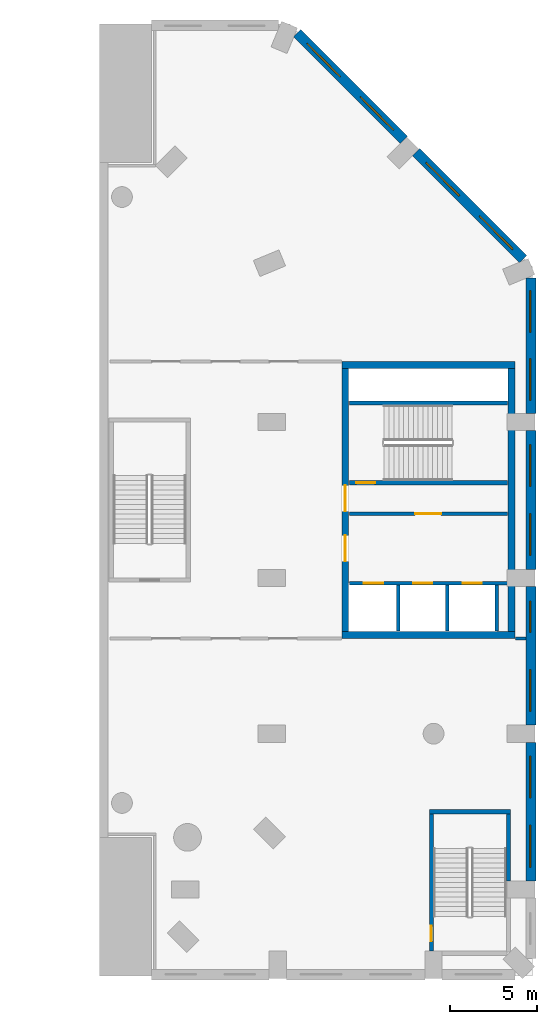
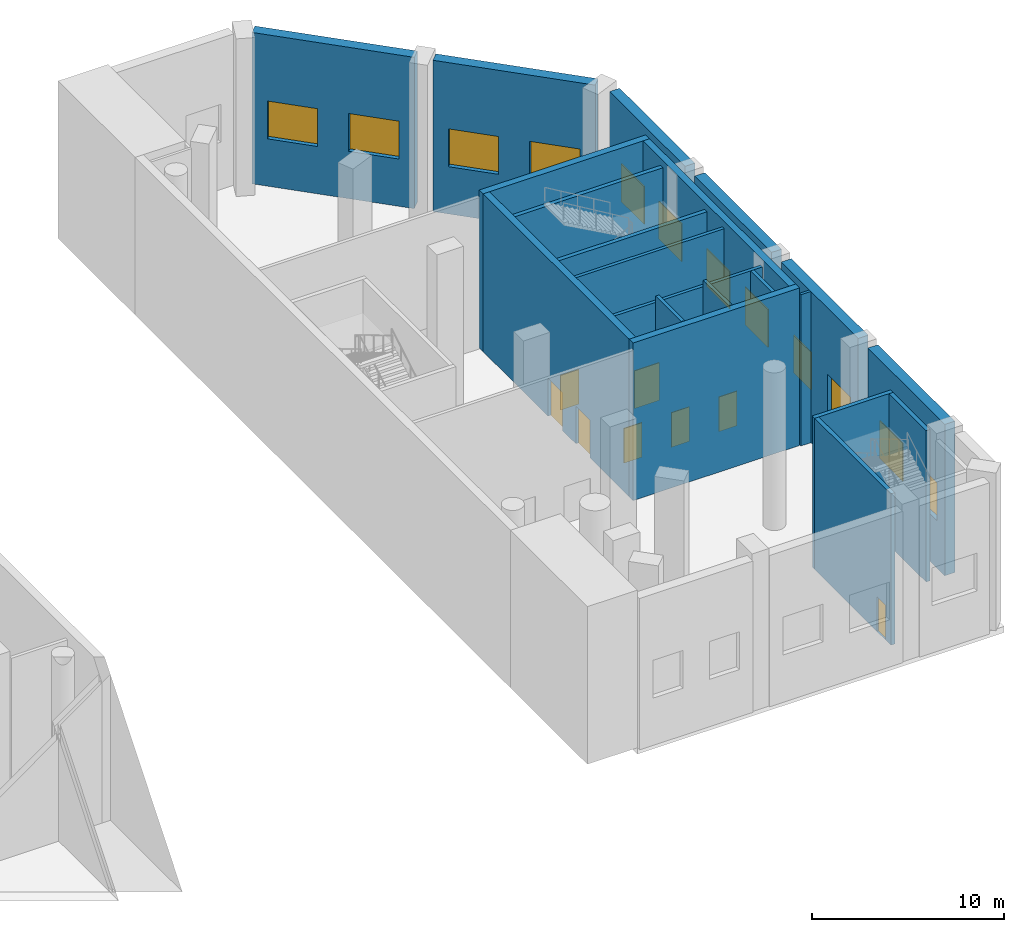
# One storey, part 8 of 16: 21 walls, 12 windows, 8 doors, 20 openings.
"""IFC4 building model written with IfcOpenShell, lengths in metres."""

import ifcopenshell
import ifcopenshell.guid

model = None  # the IFC model being written
_history = None  # IfcOwnerHistory: only IFC2X3 demands one
_inside = {}  # id of a spatial element -> (the spatial element, [elements in it])
_under = {}  # id of a project, library or spatial element -> (it, [spatial elements below it])
_declared = {}  # id of a project -> (the project, [libraries it declares])
_typed = {}  # id of a type object -> (the type object, [elements of that type])
_made_of = {}  # id of a material, layer set ... -> (it, [elements and type objects made of it])


def new_model(schema):
    """Start an empty IFC model of exactly this schema.

    Asked for "IFC4X3", IfcOpenShell would pick the latest addendum, in which some entities
    have other attributes; the version numbers below select the first issue.
    IFC2X3 requires an IfcOwnerHistory on every rooted entity: one is made here for all.
    """
    global model, _history
    if schema == "IFC4X3":
        model = ifcopenshell.file(schema_version=(4, 3, 0, 0))
    else:
        model = ifcopenshell.file(schema=schema)
    _inside.clear()
    _under.clear()
    _declared.clear()
    _typed.clear()
    _made_of.clear()
    _history = None
    if model.schema == "IFC2X3":
        org = make("IfcOrganization", Name="unknown")
        user = make(
            "IfcPersonAndOrganization",
            ThePerson=make("IfcPerson", FamilyName="unknown"),
            TheOrganization=org,
        )
        app = make(
            "IfcApplication",
            ApplicationDeveloper=org,
            Version="unknown",
            ApplicationFullName="unknown",
            ApplicationIdentifier="unknown",
        )
        _history = make(
            "IfcOwnerHistory",
            OwningUser=user,
            OwningApplication=app,
            ChangeAction="ADDED",
            CreationDate=0,
        )
    return model


def make(cls, **values):
    """One entity of the class cls with the attributes given. An attribute that is None is left unset."""
    return model.create_entity(
        cls, **{name: value for name, value in values.items() if value is not None}
    )


def rooted(cls, **values):
    """An entity with a GlobalId (a new one), such as an element, a storey or a relation."""
    return make(cls, GlobalId=ifcopenshell.guid.new(), OwnerHistory=_history, **values)


def si_unit(unit_type, name, prefix=None):
    """IfcSIUnit, for example si_unit("LENGTHUNIT", "METRE", prefix="MILLI")."""
    return make("IfcSIUnit", UnitType=unit_type, Prefix=prefix, Name=name)


def assignment(units):
    """IfcUnitAssignment: the units of a project."""
    return None if units is None else make("IfcUnitAssignment", Units=units)


def point(xyz):
    """IfcCartesianPoint."""
    return None if xyz is None else make("IfcCartesianPoint", Coordinates=xyz)


def direction(xyz):
    """IfcDirection."""
    return None if xyz is None else make("IfcDirection", DirectionRatios=xyz)


def frame(location, z_axis=None, x_axis=None):
    """IfcAxis2Placement3D, a coordinate frame: its origin and axes. An axis left out is left unset."""
    return make(
        "IfcAxis2Placement3D",
        Location=point(location),
        Axis=direction(z_axis),
        RefDirection=direction(x_axis),
    )


def frame_2d(location, x_axis=None):
    """IfcAxis2Placement2D, a coordinate frame in the plane: its origin and x axis."""
    return make(
        "IfcAxis2Placement2D", Location=point(location), RefDirection=direction(x_axis)
    )


def origin():
    """The frame at (0, 0, 0) with its axes left unset."""
    return frame((0.0, 0.0, 0.0))


def place(relative_to, where):
    """IfcLocalPlacement: puts the frame where relative to a parent placement (None: the world)."""
    return make(
        "IfcLocalPlacement", PlacementRelTo=relative_to, RelativePlacement=where
    )


def context(
    kind, dimensions, precision=None, world=None, true_north=None, identifier=None
):
    """IfcGeometricRepresentationContext, for example the 3D "Model" context."""
    return make(
        "IfcGeometricRepresentationContext",
        ContextIdentifier=identifier,
        ContextType=kind,
        CoordinateSpaceDimension=dimensions,
        Precision=precision,
        WorldCoordinateSystem=world,
        TrueNorth=true_north,
    )


def subcontext(parent, identifier, kind, view, scale=None):
    """IfcGeometricRepresentationSubContext, for example "Body" below "Model"."""
    return make(
        "IfcGeometricRepresentationSubContext",
        ContextIdentifier=identifier,
        ContextType=kind,
        ParentContext=parent,
        TargetScale=scale,
        TargetView=view,
    )


def project(units=None, contexts=None):
    """IfcProject with its units and contexts."""
    return rooted(
        "IfcProject",
        Name="project",
        RepresentationContexts=contexts,
        UnitsInContext=assignment(units),
    )


def spatial(cls, under=None, at=None, **own):
    """A site, building, storey or space (cls), placed at a placement, below another one or the project."""
    s = rooted(cls, ObjectPlacement=at, **own)
    if under is not None:
        _under.setdefault(under.id(), (under, []))[1].append(s)
    return s


def profile(cls, at=None, kind="AREA", **sizes):
    """A parametric profile (cls). Its sizes go by their IFC names, for example OverallWidth=200.0."""
    return make(cls, ProfileType=kind, Position=at, **sizes)


def rectangle(**sizes):
    """IfcRectangleProfileDef."""
    return profile("IfcRectangleProfileDef", **sizes)


def extrude(swept, where, along, depth):
    """IfcExtrudedAreaSolid: the profile swept, set in the frame where, extruded along a direction by depth."""
    return make(
        "IfcExtrudedAreaSolid",
        SweptArea=swept,
        Position=where,
        ExtrudedDirection=direction(along),
        Depth=depth,
    )


def shape(context_of_items, identifier, shape_type, items):
    """IfcShapeRepresentation: the items that make up one representation, for example the "Body"."""
    return make(
        "IfcShapeRepresentation",
        ContextOfItems=context_of_items,
        RepresentationIdentifier=identifier,
        RepresentationType=shape_type,
        Items=items,
    )


def material(Name=None, Category=None):
    """IfcMaterial."""
    return make("IfcMaterial", Name=Name, Category=Category)


def layer(
    of_material, thickness, ventilated=None, Name=None, Category=None, Priority=None
):
    """IfcMaterialLayer: one layer of a wall or slab, of a material (None: an air gap)."""
    return make(
        "IfcMaterialLayer",
        Material=of_material,
        LayerThickness=thickness,
        IsVentilated=ventilated,
        Name=Name,
        Category=Category,
        Priority=Priority,
    )


def layer_set(layers, Name=None):
    """IfcMaterialLayerSet."""
    return make("IfcMaterialLayerSet", MaterialLayers=layers, LayerSetName=Name)


def made_of(thing, what):
    """Note that an element or type object is made of a material, layer set ...; save() writes the relation."""
    if what is not None:
        _made_of.setdefault(what.id(), (what, []))[1].append(thing)
    return thing


def type_object(cls, material=None, **own):
    """A type object (cls), such as IfcWallType, which elements share."""
    return made_of(rooted(cls, **own), material)


def element(
    cls,
    number,
    at=None,
    inside=None,
    cuts=None,
    type_object=None,
    material=None,
    context=None,
    identifier="Body",
    shape_type=None,
    held_by="IfcProductDefinitionShape",
    body=None,
    shapes=None,
    **own,
):
    """One element of the class cls, such as IfcWall. Its Tag is "e" and its number.

    at: its placement. inside: the storey or other place that contains it. cuts: it is an
    opening in that element (IfcRelVoidsElement). A single representation is given by context,
    identifier, shape_type and body (its items); several are given by shapes. held_by: the class
    of the entity that holds the representations. save() writes the other relations.
    """
    e = rooted(cls, Tag="e%d" % number, ObjectPlacement=at, **own)
    if body is not None:
        shapes = [shape(context, identifier, shape_type, body)]
    if shapes is not None:
        e.Representation = make(held_by, Representations=shapes)
    if inside is not None:
        _inside.setdefault(inside.id(), (inside, []))[1].append(e)
    if cuts is not None:
        rooted(
            "IfcRelVoidsElement", RelatingBuildingElement=cuts, RelatedOpeningElement=e
        )
    if type_object is not None:
        _typed.setdefault(type_object.id(), (type_object, []))[1].append(e)
    return made_of(e, material)


def fill(opening, filler):
    """IfcRelFillsElement: the door or window that sits in an opening."""
    return rooted(
        "IfcRelFillsElement",
        RelatingOpeningElement=opening,
        RelatedBuildingElement=filler,
    )


def aggregate(whole, parts):
    """IfcRelAggregates: a whole, such as a stair, and the parts it consists of."""
    return rooted("IfcRelAggregates", RelatingObject=whole, RelatedObjects=parts)


def save(model, path):
    """Write the relations noted so far, then the file.

    IfcRelAggregates (storeys below a building ...), IfcRelContainedInSpatialStructure (elements
    in a storey), IfcRelDefinesByType, IfcRelAssociatesMaterial and IfcRelDeclares: one each for
    every whole, place, type object, material and project.
    """
    for whole, parts in _under.values():
        aggregate(whole, parts)
    for where, things in _inside.values():
        rooted(
            "IfcRelContainedInSpatialStructure",
            RelatedElements=things,
            RelatingStructure=where,
        )
    for kind, things in _typed.values():
        rooted("IfcRelDefinesByType", RelatedObjects=things, RelatingType=kind)
    for what, things in _made_of.values():
        rooted("IfcRelAssociatesMaterial", RelatedObjects=things, RelatingMaterial=what)
    for by, libraries in _declared.values():
        rooted("IfcRelDeclares", RelatingContext=by, RelatedDefinitions=libraries)
    model.write(path)


model = new_model("IFC4")

# Units and contexts
model_context = context("Model", 3, precision=1e-05, world=origin(), true_north=direction((0.0, 1.0)))
body_context = subcontext(model_context, "Body", "Model", "MODEL_VIEW")
ifc_project = project(units=[si_unit("LENGTHUNIT", "METRE"), si_unit("AREAUNIT", "SQUARE_METRE"), si_unit("VOLUMEUNIT", "CUBIC_METRE"), si_unit("PLANEANGLEUNIT", "RADIAN"), si_unit("MASSUNIT", "GRAM", prefix="KILO")], contexts=[model_context])

# Site, building, storey
site_placement = place(None, origin())
site = spatial("IfcSite", under=ifc_project, at=site_placement, CompositionType="ELEMENT")
building_placement = place(site_placement, origin())
building = spatial("IfcBuilding", under=site, at=building_placement, Name="Cypress Arch Tower", CompositionType="ELEMENT")
storey_placement = place(building_placement, frame((0.0, 0.0, 9.0)))
storey = spatial("IfcBuildingStorey", under=building, at=storey_placement, Name="L01", CompositionType="ELEMENT", Elevation=9.0)

# Wall, openings, windows
ifc_material_1 = material(Name="Brick (red buff blend) on blockwork backing", Category="masonry")
ifc_layer_1 = layer(ifc_material_1, 0.60009765625)
ifc_layer_set_1 = layer_set([ifc_layer_1], Name="Brick base wall BW600")
wall_type_1 = type_object("IfcWallType", Name="Brick base wall BW600", PredefinedType="ELEMENTEDWALL", material=ifc_layer_set_1)
wall_1_placement = place(storey_placement, frame((38.925048828125, -22.0, 0.0), z_axis=(0.0, 0.0, 1.0), x_axis=(0.0, 1.0, 0.0)))
wall_1 = element("IfcWall", 1, at=wall_1_placement, inside=storey, type_object=wall_type_1, Name="Brick wall L01 P01.1", PredefinedType="ELEMENTEDWALL", context=body_context, shape_type="SweptSolid", body=[
    extrude(rectangle(XDim=8.0, YDim=0.60009765625, at=frame_2d((4.0, 0.0))), origin(), (0.0, 0.0, 1.0), 9.60009765625),
])
opening_1_placement = place(wall_1_placement, frame((0.800048828125, 0.0, 3.0)))
opening_1 = element("IfcOpeningElement", 2, at=opening_1_placement, cuts=wall_1, Name="Opening W240P", PredefinedType="OPENING", context=body_context, shape_type="SweptSolid", body=[
    extrude(rectangle(XDim=2.39990234375, YDim=2.39990234375, at=frame_2d((1.199951171875, 1.199951171875))), frame((0.0, 0.31005859375, 0.0), z_axis=(0.0, -1.0, 0.0), x_axis=(1.0, 0.0, 0.0)), (0.0, 0.0, 1.0), 0.6201171875),
])
opening_2_placement = place(wall_1_placement, frame((4.800048828125, 0.0, 3.0)))
opening_2 = element("IfcOpeningElement", 3, at=opening_2_placement, cuts=wall_1, Name="Opening W240P", PredefinedType="OPENING", context=body_context, shape_type="SweptSolid", body=[
    extrude(rectangle(XDim=2.39990234375, YDim=2.39990234375, at=frame_2d((1.199951171875, 1.199951171875))), frame((0.0, 0.31005859375, 0.0), z_axis=(0.0, -1.0, 0.0), x_axis=(1.0, 0.0, 0.0)), (0.0, 0.0, 1.0), 0.6201171875),
])
ifc_material_2 = material(Name="Anodised aluminium, bronze finish, clear low-emissivity double glazing", Category="aluminium")
window_type_1 = type_object("IfcWindowType", Name="Window Podium 2400x2400", PartitioningType="SINGLE_PANEL", PredefinedType="WINDOW", material=ifc_material_2)
window_1_placement = place(opening_1_placement, origin())
window_1 = element("IfcWindow", 4, at=window_1_placement, inside=storey, type_object=window_type_1, Name="Window L01 P01.1.1", OverallHeight=2.39990234375, OverallWidth=2.39990234375, PartitioningType="SINGLE_PANEL", PredefinedType="WINDOW", context=body_context, shape_type="SweptSolid", body=[
    extrude(rectangle(XDim=2.39990234375, YDim=2.39990234375, at=frame_2d((1.199951171875, 1.199951171875))), frame((0.0, 0.06005859375, 0.0), z_axis=(0.0, -1.0, 0.0), x_axis=(1.0, 0.0, 0.0)), (0.0, 0.0, 1.0), 0.06005859375),
])
fill(opening_1, window_1)
window_2_placement = place(opening_2_placement, origin())
window_2 = element("IfcWindow", 5, at=window_2_placement, inside=storey, type_object=window_type_1, Name="Window L01 P01.1.2", OverallHeight=2.39990234375, OverallWidth=2.39990234375, PartitioningType="SINGLE_PANEL", PredefinedType="WINDOW", context=body_context, shape_type="SweptSolid", body=[
    extrude(rectangle(XDim=2.39990234375, YDim=2.39990234375, at=frame_2d((1.199951171875, 1.199951171875))), frame((0.0, 0.06005859375, 0.0), z_axis=(0.0, -1.0, 0.0), x_axis=(1.0, 0.0, 0.0)), (0.0, 0.0, 1.0), 0.06005859375),
])
fill(opening_2, window_2)

wall_2_placement = place(storey_placement, frame((38.925048828125, -13.0, 0.0), z_axis=(0.0, 0.0, 1.0), x_axis=(0.0, 1.0, 0.0)))
wall_2 = element("IfcWall", 6, at=wall_2_placement, inside=storey, type_object=wall_type_1, Name="Brick wall L01 P01.2", PredefinedType="ELEMENTEDWALL", context=body_context, shape_type="SweptSolid", body=[
    extrude(rectangle(XDim=8.0, YDim=0.60009765625, at=frame_2d((4.0, 0.0))), origin(), (0.0, 0.0, 1.0), 9.60009765625),
])
opening_3_placement = place(wall_2_placement, frame((0.800048828125, 0.0, 3.0)))
opening_3 = element("IfcOpeningElement", 7, at=opening_3_placement, cuts=wall_2, Name="Opening W240P", PredefinedType="OPENING", context=body_context, shape_type="SweptSolid", body=[
    extrude(rectangle(XDim=2.39990234375, YDim=2.39990234375, at=frame_2d((1.199951171875, 1.199951171875))), frame((0.0, 0.31005859375, 0.0), z_axis=(0.0, -1.0, 0.0), x_axis=(1.0, 0.0, 0.0)), (0.0, 0.0, 1.0), 0.6201171875),
])
opening_4_placement = place(wall_2_placement, frame((5.35009765625, 0.0, 3.0)))
opening_4 = element("IfcOpeningElement", 8, at=opening_4_placement, cuts=wall_2, Name="Opening W180P", PredefinedType="OPENING", context=body_context, shape_type="SweptSolid", body=[
    extrude(rectangle(XDim=1.800048828125, YDim=2.39990234375, at=frame_2d((0.89990234375, 1.199951171875))), frame((0.0, 0.31005859375, 0.0), z_axis=(0.0, -1.0, 0.0), x_axis=(1.0, 0.0, 0.0)), (0.0, 0.0, 1.0), 0.6201171875),
])
ifc_material_3 = material(Name="Anodised aluminium, bronze finish, clear low-emissivity double glazing", Category="aluminium")
window_type_2 = type_object("IfcWindowType", Name="Window Podium 1800x2400", PartitioningType="SINGLE_PANEL", PredefinedType="WINDOW", material=ifc_material_3)
window_3_placement = place(opening_4_placement, origin())
window_3 = element("IfcWindow", 9, at=window_3_placement, inside=storey, type_object=window_type_2, Name="Window L01 P01.2.2", OverallHeight=2.39990234375, OverallWidth=1.800048828125, PartitioningType="SINGLE_PANEL", PredefinedType="WINDOW", context=body_context, shape_type="SweptSolid", body=[
    extrude(rectangle(XDim=1.800048828125, YDim=2.39990234375, at=frame_2d((0.89990234375, 1.199951171875))), frame((0.0, 0.06005859375, 0.0), z_axis=(0.0, -1.0, 0.0), x_axis=(1.0, 0.0, 0.0)), (0.0, 0.0, 1.0), 0.06005859375),
])
fill(opening_4, window_3)
window_4_placement = place(opening_3_placement, origin())
window_4 = element("IfcWindow", 10, at=window_4_placement, inside=storey, type_object=window_type_1, Name="Window L01 P01.2.1", OverallHeight=2.39990234375, OverallWidth=2.39990234375, PartitioningType="SINGLE_PANEL", PredefinedType="WINDOW", context=body_context, shape_type="SweptSolid", body=[
    extrude(rectangle(XDim=2.39990234375, YDim=2.39990234375, at=frame_2d((1.199951171875, 1.199951171875))), frame((0.0, 0.06005859375, 0.0), z_axis=(0.0, -1.0, 0.0), x_axis=(1.0, 0.0, 0.0)), (0.0, 0.0, 1.0), 0.06005859375),
])
fill(opening_3, window_4)

wall_3_placement = place(storey_placement, frame((38.925048828125, -4.0, 0.0), z_axis=(0.0, 0.0, 1.0), x_axis=(0.0, 1.0, 0.0)))
wall_3 = element("IfcWall", 11, at=wall_3_placement, inside=storey, type_object=wall_type_1, Name="Brick wall L01 P01.3", PredefinedType="ELEMENTEDWALL", context=body_context, shape_type="SweptSolid", body=[
    extrude(rectangle(XDim=8.0, YDim=0.60009765625, at=frame_2d((4.0, 0.0))), origin(), (0.0, 0.0, 1.0), 9.60009765625),
])
opening_5_placement = place(wall_3_placement, frame((0.800048828125, 0.0, 3.0)))
opening_5 = element("IfcOpeningElement", 12, at=opening_5_placement, cuts=wall_3, Name="Opening W240P", PredefinedType="OPENING", context=body_context, shape_type="SweptSolid", body=[
    extrude(rectangle(XDim=2.39990234375, YDim=2.39990234375, at=frame_2d((1.199951171875, 1.199951171875))), frame((0.0, 0.31005859375, 0.0), z_axis=(0.0, -1.0, 0.0), x_axis=(1.0, 0.0, 0.0)), (0.0, 0.0, 1.0), 0.6201171875),
])
opening_6_placement = place(wall_3_placement, frame((4.800048828125, 0.0, 3.0)))
opening_6 = element("IfcOpeningElement", 13, at=opening_6_placement, cuts=wall_3, Name="Opening W240P", PredefinedType="OPENING", context=body_context, shape_type="SweptSolid", body=[
    extrude(rectangle(XDim=2.39990234375, YDim=2.39990234375, at=frame_2d((1.199951171875, 1.199951171875))), frame((0.0, 0.31005859375, 0.0), z_axis=(0.0, -1.0, 0.0), x_axis=(1.0, 0.0, 0.0)), (0.0, 0.0, 1.0), 0.6201171875),
])
window_5_placement = place(opening_5_placement, origin())
window_5 = element("IfcWindow", 14, at=window_5_placement, inside=storey, type_object=window_type_1, Name="Window L01 P01.3.1", OverallHeight=2.39990234375, OverallWidth=2.39990234375, PartitioningType="SINGLE_PANEL", PredefinedType="WINDOW", context=body_context, shape_type="SweptSolid", body=[
    extrude(rectangle(XDim=2.39990234375, YDim=2.39990234375, at=frame_2d((1.199951171875, 1.199951171875))), frame((0.0, 0.06005859375, 0.0), z_axis=(0.0, -1.0, 0.0), x_axis=(1.0, 0.0, 0.0)), (0.0, 0.0, 1.0), 0.06005859375),
])
fill(opening_5, window_5)
window_6_placement = place(opening_6_placement, origin())
window_6 = element("IfcWindow", 15, at=window_6_placement, inside=storey, type_object=window_type_1, Name="Window L01 P01.3.2", OverallHeight=2.39990234375, OverallWidth=2.39990234375, PartitioningType="SINGLE_PANEL", PredefinedType="WINDOW", context=body_context, shape_type="SweptSolid", body=[
    extrude(rectangle(XDim=2.39990234375, YDim=2.39990234375, at=frame_2d((1.199951171875, 1.199951171875))), frame((0.0, 0.06005859375, 0.0), z_axis=(0.0, -1.0, 0.0), x_axis=(1.0, 0.0, 0.0)), (0.0, 0.0, 1.0), 0.06005859375),
])
fill(opening_6, window_6)

wall_4_placement = place(storey_placement, frame((38.925048828125, 5.0, 0.0), z_axis=(0.0, 0.0, 1.0), x_axis=(0.0, 1.0, 0.0)))
wall_4 = element("IfcWall", 16, at=wall_4_placement, inside=storey, type_object=wall_type_1, Name="Brick wall L01 P01.4", PredefinedType="ELEMENTEDWALL", context=body_context, shape_type="SweptSolid", body=[
    extrude(rectangle(XDim=7.83447265625, YDim=0.60009765625, at=frame_2d((3.917236328125, 0.0))), origin(), (0.0, 0.0, 1.0), 9.60009765625),
])
opening_7_placement = place(wall_4_placement, frame((0.758544921875, 0.0, 3.0)))
opening_7 = element("IfcOpeningElement", 17, at=opening_7_placement, cuts=wall_4, Name="Opening W240P", PredefinedType="OPENING", context=body_context, shape_type="SweptSolid", body=[
    extrude(rectangle(XDim=2.39990234375, YDim=2.39990234375, at=frame_2d((1.199951171875, 1.199951171875))), frame((0.0, 0.31005859375, 0.0), z_axis=(0.0, -1.0, 0.0), x_axis=(1.0, 0.0, 0.0)), (0.0, 0.0, 1.0), 0.6201171875),
])
opening_8_placement = place(wall_4_placement, frame((4.676025390625, 0.0, 3.0)))
opening_8 = element("IfcOpeningElement", 18, at=opening_8_placement, cuts=wall_4, Name="Opening W240P", PredefinedType="OPENING", context=body_context, shape_type="SweptSolid", body=[
    extrude(rectangle(XDim=2.39990234375, YDim=2.39990234375, at=frame_2d((1.199951171875, 1.199951171875))), frame((0.0, 0.31005859375, 0.0), z_axis=(0.0, -1.0, 0.0), x_axis=(1.0, 0.0, 0.0)), (0.0, 0.0, 1.0), 0.6201171875),
])
window_7_placement = place(opening_7_placement, origin())
window_7 = element("IfcWindow", 19, at=window_7_placement, inside=storey, type_object=window_type_1, Name="Window L01 P01.4.1", OverallHeight=2.39990234375, OverallWidth=2.39990234375, PartitioningType="SINGLE_PANEL", PredefinedType="WINDOW", context=body_context, shape_type="SweptSolid", body=[
    extrude(rectangle(XDim=2.39990234375, YDim=2.39990234375, at=frame_2d((1.199951171875, 1.199951171875))), frame((0.0, 0.06005859375, 0.0), z_axis=(0.0, -1.0, 0.0), x_axis=(1.0, 0.0, 0.0)), (0.0, 0.0, 1.0), 0.06005859375),
])
fill(opening_7, window_7)
window_8_placement = place(opening_8_placement, origin())
window_8 = element("IfcWindow", 20, at=window_8_placement, inside=storey, type_object=window_type_1, Name="Window L01 P01.4.2", OverallHeight=2.39990234375, OverallWidth=2.39990234375, PartitioningType="SINGLE_PANEL", PredefinedType="WINDOW", context=body_context, shape_type="SweptSolid", body=[
    extrude(rectangle(XDim=2.39990234375, YDim=2.39990234375, at=frame_2d((1.199951171875, 1.199951171875))), frame((0.0, 0.06005859375, 0.0), z_axis=(0.0, -1.0, 0.0), x_axis=(1.0, 0.0, 0.0)), (0.0, 0.0, 1.0), 0.06005859375),
])
fill(opening_8, window_8)

wall_5_placement = place(storey_placement, frame((38.476318359375, 13.91748046875, 0.0), z_axis=(0.0, 0.0, 1.0), x_axis=(-0.707092804673, 0.707120757424, 0.0)))
wall_5 = element("IfcWall", 21, at=wall_5_placement, inside=storey, type_object=wall_type_1, Name="Brick wall L01 P02.0", PredefinedType="ELEMENTEDWALL", context=body_context, shape_type="SweptSolid", body=[
    extrude(rectangle(XDim=8.734130859375, YDim=0.60009765625, at=frame_2d((4.3671875, 0.0))), origin(), (0.0, 0.0, 1.0), 9.60009765625),
])
opening_9_placement = place(wall_5_placement, frame((0.83349609375, 0.0, 3.0)))
opening_9 = element("IfcOpeningElement", 22, at=opening_9_placement, cuts=wall_5, Name="Opening W270P", PredefinedType="OPENING", context=body_context, shape_type="SweptSolid", body=[
    extrude(rectangle(XDim=2.699951171875, YDim=2.39990234375, at=frame_2d((1.35009765625, 1.199951171875))), frame((0.0, 0.31005859375, 0.0), z_axis=(0.0, -1.0, 0.0), x_axis=(1.0, 0.0, 0.0)), (0.0, 0.0, 1.0), 0.6201171875),
])
opening_10_placement = place(wall_5_placement, frame((5.200439453125, 0.0, 3.0)))
opening_10 = element("IfcOpeningElement", 23, at=opening_10_placement, cuts=wall_5, Name="Opening W270P", PredefinedType="OPENING", context=body_context, shape_type="SweptSolid", body=[
    extrude(rectangle(XDim=2.699951171875, YDim=2.39990234375, at=frame_2d((1.35009765625, 1.199951171875))), frame((0.0, 0.31005859375, 0.0), z_axis=(0.0, -1.0, 0.0), x_axis=(1.0, 0.0, 0.0)), (0.0, 0.0, 1.0), 0.6201171875),
])
ifc_material_4 = material(Name="Anodised aluminium, bronze finish, clear low-emissivity double glazing", Category="aluminium")
window_type_3 = type_object("IfcWindowType", Name="Window Podium 2700x2400", PartitioningType="SINGLE_PANEL", PredefinedType="WINDOW", material=ifc_material_4)
window_9_placement = place(opening_9_placement, origin())
window_9 = element("IfcWindow", 24, at=window_9_placement, inside=storey, type_object=window_type_3, Name="Window L01 P02.0.1", OverallHeight=2.39990234375, OverallWidth=2.699951171875, PartitioningType="SINGLE_PANEL", PredefinedType="WINDOW", context=body_context, shape_type="SweptSolid", body=[
    extrude(rectangle(XDim=2.699951171875, YDim=2.39990234375, at=frame_2d((1.35009765625, 1.199951171875))), frame((0.0, 0.06005859375, 0.0), z_axis=(0.0, -1.0, 0.0), x_axis=(1.0, 0.0, 0.0)), (0.0, 0.0, 1.0), 0.06005859375),
])
fill(opening_9, window_9)
window_10_placement = place(opening_10_placement, origin())
window_10 = element("IfcWindow", 25, at=window_10_placement, inside=storey, type_object=window_type_3, Name="Window L01 P02.0.2", OverallHeight=2.39990234375, OverallWidth=2.699951171875, PartitioningType="SINGLE_PANEL", PredefinedType="WINDOW", context=body_context, shape_type="SweptSolid", body=[
    extrude(rectangle(XDim=2.699951171875, YDim=2.39990234375, at=frame_2d((1.35009765625, 1.199951171875))), frame((0.0, 0.06005859375, 0.0), z_axis=(0.0, -1.0, 0.0), x_axis=(1.0, 0.0, 0.0)), (0.0, 0.0, 1.0), 0.06005859375),
])
fill(opening_10, window_10)

wall_6_placement = place(storey_placement, frame((31.593505859375, 20.800537109375, 0.0), z_axis=(0.0, 0.0, 1.0), x_axis=(-0.707120757424, 0.707092804673, 0.0)))
wall_6 = element("IfcWall", 26, at=wall_6_placement, inside=storey, type_object=wall_type_1, Name="Brick wall L01 P02.1", PredefinedType="ELEMENTEDWALL", context=body_context, shape_type="SweptSolid", body=[
    extrude(rectangle(XDim=8.734130859375, YDim=0.60009765625, at=frame_2d((4.3671875, 0.0))), origin(), (0.0, 0.0, 1.0), 9.60009765625),
])
opening_11_placement = place(wall_6_placement, frame((0.83349609375, 0.0, 3.0)))
opening_11 = element("IfcOpeningElement", 27, at=opening_11_placement, cuts=wall_6, Name="Opening W270P", PredefinedType="OPENING", context=body_context, shape_type="SweptSolid", body=[
    extrude(rectangle(XDim=2.699951171875, YDim=2.39990234375, at=frame_2d((1.35009765625, 1.199951171875))), frame((0.0, 0.31005859375, 0.0), z_axis=(0.0, -1.0, 0.0), x_axis=(1.0, 0.0, 0.0)), (0.0, 0.0, 1.0), 0.6201171875),
])
opening_12_placement = place(wall_6_placement, frame((5.200439453125, 0.0, 3.0)))
opening_12 = element("IfcOpeningElement", 28, at=opening_12_placement, cuts=wall_6, Name="Opening W270P", PredefinedType="OPENING", context=body_context, shape_type="SweptSolid", body=[
    extrude(rectangle(XDim=2.699951171875, YDim=2.39990234375, at=frame_2d((1.35009765625, 1.199951171875))), frame((0.0, 0.31005859375, 0.0), z_axis=(0.0, -1.0, 0.0), x_axis=(1.0, 0.0, 0.0)), (0.0, 0.0, 1.0), 0.6201171875),
])
window_11_placement = place(opening_11_placement, origin())
window_11 = element("IfcWindow", 29, at=window_11_placement, inside=storey, type_object=window_type_3, Name="Window L01 P02.1.1", OverallHeight=2.39990234375, OverallWidth=2.699951171875, PartitioningType="SINGLE_PANEL", PredefinedType="WINDOW", context=body_context, shape_type="SweptSolid", body=[
    extrude(rectangle(XDim=2.699951171875, YDim=2.39990234375, at=frame_2d((1.35009765625, 1.199951171875))), frame((0.0, 0.06005859375, 0.0), z_axis=(0.0, -1.0, 0.0), x_axis=(1.0, 0.0, 0.0)), (0.0, 0.0, 1.0), 0.06005859375),
])
fill(opening_11, window_11)
window_12_placement = place(opening_12_placement, origin())
window_12 = element("IfcWindow", 30, at=window_12_placement, inside=storey, type_object=window_type_3, Name="Window L01 P02.1.2", OverallHeight=2.39990234375, OverallWidth=2.699951171875, PartitioningType="SINGLE_PANEL", PredefinedType="WINDOW", context=body_context, shape_type="SweptSolid", body=[
    extrude(rectangle(XDim=2.699951171875, YDim=2.39990234375, at=frame_2d((1.35009765625, 1.199951171875))), frame((0.0, 0.06005859375, 0.0), z_axis=(0.0, -1.0, 0.0), x_axis=(1.0, 0.0, 0.0)), (0.0, 0.0, 1.0), 0.06005859375),
])
fill(opening_12, window_12)

# Wall, opening, door
ifc_material_5 = material(Name="Concrete blockwork, plastered, rated", Category="masonry")
ifc_layer_2 = layer(ifc_material_5, 0.199951171875)
ifc_layer_set_2 = layer_set([ifc_layer_2], Name="Corridor wall FW200")
wall_type_2 = type_object("IfcWallType", Name="Corridor wall FW200", PredefinedType="PARTITIONING", material=ifc_layer_set_2)
wall_7_placement = place(storey_placement, frame((28.429931640625, -0.800048828125, 0.0), z_axis=(0.0, 0.0, 1.0), x_axis=(1.0, 0.0, 0.0)))
wall_7 = element("IfcWall", 31, at=wall_7_placement, inside=storey, type_object=wall_type_2, Name="Corridor wall", PredefinedType="PARTITIONING", context=body_context, shape_type="SweptSolid", body=[
    extrude(rectangle(XDim=9.14013671875, YDim=0.199951171875, at=frame_2d((4.570068359375, 0.0))), origin(), (0.0, 0.0, 1.0), 9.597900390625),
])
opening_13_placement = place(wall_7_placement, frame((3.800048828125, 0.0, 0.0)))
opening_13 = element("IfcOpeningElement", 32, at=opening_13_placement, cuts=wall_7, Name="Opening D07", PredefinedType="OPENING", context=body_context, shape_type="SweptSolid", body=[
    extrude(rectangle(XDim=1.5, YDim=2.39990234375, at=frame_2d((0.75, 1.199951171875))), frame((0.0, 0.10986328125, 0.0), z_axis=(0.0, -1.0, 0.0), x_axis=(1.0, 0.0, 0.0)), (0.0, 0.0, 1.0), 0.219970703125),
])
ifc_material_6 = material(Name="Steel framed glazed door, fire resisting", Category="steel")
door_type_1 = type_object("IfcDoorType", Name="Lobby door D07 1500x2400", OperationType="DOUBLE_DOOR_SINGLE_SWING", PredefinedType="DOOR", material=ifc_material_6)
door_1_placement = place(opening_13_placement, origin())
door_1 = element("IfcDoor", 33, at=door_1_placement, inside=storey, type_object=door_type_1, Name="Lobby door", OperationType="DOUBLE_DOOR_SINGLE_SWING", OverallHeight=2.39990234375, OverallWidth=1.5, PredefinedType="DOOR", context=body_context, shape_type="SweptSolid", body=[
    extrude(rectangle(XDim=1.5, YDim=2.39990234375, at=frame_2d((0.75, 1.199951171875))), frame((0.0, 0.02490234375, 0.0), z_axis=(0.0, -1.0, 0.0), x_axis=(1.0, 0.0, 0.0)), (0.0, 0.0, 1.0), 0.050048828125),
])
fill(opening_13, door_1)

# Walls
ifc_material_7 = material(Name="Concrete C60/75", Category="concrete")
ifc_layer_3 = layer(ifc_material_7, 0.39990234375)
ifc_layer_set_3 = layer_set([ifc_layer_3], Name="East core wall CW400 C60/75")
wall_type_3 = type_object("IfcWallType", Name="East core wall CW400 C60/75", PredefinedType="SHEAR", material=ifc_layer_set_3)
for number, where, z_axis, x_axis, name in (
    (34, (28.0, 7.800048828125, 0.0), (0.0, 0.0, 1.0), (1.0, 0.0, 0.0), "East core wall"),
    (35, (28.0, -7.800048828125, 0.0), (0.0, 0.0, 1.0), (1.0, 0.0, 0.0), "East core wall"),
):
    element("IfcWall", number, at=place(storey_placement, frame(where, z_axis=z_axis, x_axis=x_axis)), inside=storey, type_object=wall_type_3, Name=name, PredefinedType="SHEAR", context=body_context, shape_type="SweptSolid", body=[
        extrude(rectangle(XDim=10.0, YDim=0.39990234375, at=frame_2d((5.0, 0.0))), origin(), (0.0, 0.0, 1.0), 10.0),
    ])
wall_8_placement = place(storey_placement, frame((37.800048828125, -7.60009765625, 0.0), z_axis=(0.0, 0.0, 1.0), x_axis=(0.0, 1.0, 0.0)))
element("IfcWall", 36, at=wall_8_placement, inside=storey, type_object=wall_type_3, Name="East core wall", PredefinedType="SHEAR", context=body_context, shape_type="SweptSolid", body=[
    extrude(rectangle(XDim=15.2001953125, YDim=0.39990234375, at=frame_2d((7.60009765625, 0.0))), origin(), (0.0, 0.0, 1.0), 10.0),
])

# Wall, openings, doors
wall_9_placement = place(storey_placement, frame((28.199951171875, -7.60009765625, 0.0), z_axis=(0.0, 0.0, 1.0), x_axis=(0.0, 1.0, 0.0)))
wall_9 = element("IfcWall", 37, at=wall_9_placement, inside=storey, type_object=wall_type_3, Name="East core wall", PredefinedType="SHEAR", context=body_context, shape_type="SweptSolid", body=[
    extrude(rectangle(XDim=15.2001953125, YDim=0.39990234375, at=frame_2d((7.60009765625, 0.0))), origin(), (0.0, 0.0, 1.0), 10.0),
])
opening_14_placement = place(wall_9_placement, frame((4.050048828125, 0.0, 0.0)))
opening_14 = element("IfcOpeningElement", 38, at=opening_14_placement, cuts=wall_9, Name="Opening D07", PredefinedType="OPENING", context=body_context, shape_type="SweptSolid", body=[
    extrude(rectangle(XDim=1.5, YDim=2.39990234375, at=frame_2d((0.75, 1.199951171875))), frame((0.0, 0.2099609375, 0.0), z_axis=(0.0, -1.0, 0.0), x_axis=(1.0, 0.0, 0.0)), (0.0, 0.0, 1.0), 0.419921875),
])
opening_15_placement = place(wall_9_placement, frame((6.949951171875, 0.0, 0.0)))
opening_15 = element("IfcOpeningElement", 39, at=opening_15_placement, cuts=wall_9, Name="Opening D07", PredefinedType="OPENING", context=body_context, shape_type="SweptSolid", body=[
    extrude(rectangle(XDim=1.5, YDim=2.39990234375, at=frame_2d((0.75, 1.199951171875))), frame((0.0, 0.2099609375, 0.0), z_axis=(0.0, -1.0, 0.0), x_axis=(1.0, 0.0, 0.0)), (0.0, 0.0, 1.0), 0.419921875),
])
door_2_placement = place(opening_14_placement, origin())
door_2 = element("IfcDoor", 40, at=door_2_placement, inside=storey, type_object=door_type_1, Name="Lobby door", OperationType="DOUBLE_DOOR_SINGLE_SWING", OverallHeight=2.39990234375, OverallWidth=1.5, PredefinedType="DOOR", context=body_context, shape_type="SweptSolid", body=[
    extrude(rectangle(XDim=1.5, YDim=2.39990234375, at=frame_2d((0.75, 1.199951171875))), frame((0.0, 0.02490234375, 0.0), z_axis=(0.0, -1.0, 0.0), x_axis=(1.0, 0.0, 0.0)), (0.0, 0.0, 1.0), 0.050048828125),
])
fill(opening_14, door_2)
door_3_placement = place(opening_15_placement, origin())
door_3 = element("IfcDoor", 41, at=door_3_placement, inside=storey, type_object=door_type_1, Name="Lobby door", OperationType="DOUBLE_DOOR_SINGLE_SWING", OverallHeight=2.39990234375, OverallWidth=1.5, PredefinedType="DOOR", context=body_context, shape_type="SweptSolid", body=[
    extrude(rectangle(XDim=1.5, YDim=2.39990234375, at=frame_2d((0.75, 1.199951171875))), frame((0.0, 0.02490234375, 0.0), z_axis=(0.0, -1.0, 0.0), x_axis=(1.0, 0.0, 0.0)), (0.0, 0.0, 1.0), 0.050048828125),
])
fill(opening_15, door_3)

# Wall
ifc_material_8 = material(Name="Blockwork, plastered both sides", Category="masonry")
ifc_layer_4 = layer(ifc_material_8, 0.14990234375)
ifc_layer_set_4 = layer_set([ifc_layer_4], Name="Partition PW150")
wall_type_4 = type_object("IfcWallType", Name="Partition PW150", PredefinedType="PARTITIONING", material=ifc_layer_set_4)
wall_10_placement = place(storey_placement, frame((38.030029296875, -8.0, 0.0), z_axis=(0.0, 0.0, 1.0), x_axis=(1.0, 0.0, 0.0)))
element("IfcWall", 42, at=wall_10_placement, inside=storey, type_object=wall_type_4, Name="Partition", PredefinedType="PARTITIONING", context=body_context, shape_type="SweptSolid", body=[
    extrude(rectangle(XDim=0.594970703125, YDim=0.14990234375, at=frame_2d((0.29736328125, 0.0))), origin(), (0.0, 0.0, 1.0), 9.597900390625),
])

# Wall, openings, doors
ifc_material_9 = material(Name="Concrete C50/60", Category="concrete")
ifc_layer_5 = layer(ifc_material_9, 0.199951171875)
ifc_layer_set_5 = layer_set([ifc_layer_5], Name="Shaft wall SH200")
wall_type_5 = type_object("IfcWallType", Name="Shaft wall SH200", PredefinedType="SHEAR", material=ifc_layer_set_5)
wall_11_placement = place(storey_placement, frame((28.429931640625, -4.800048828125, 0.0), z_axis=(0.0, 0.0, 1.0), x_axis=(1.0, 0.0, 0.0)))
wall_11 = element("IfcWall", 43, at=wall_11_placement, inside=storey, type_object=wall_type_5, Name="Shaft wall", PredefinedType="SHEAR", context=body_context, shape_type="SweptSolid", body=[
    extrude(rectangle(XDim=9.130126953125, YDim=0.199951171875, at=frame_2d((4.56494140625, 0.0))), origin(), (0.0, 0.0, 1.0), 9.597900390625),
])
opening_16_placement = place(wall_11_placement, frame((0.85009765625, 0.0, 0.0)))
opening_16 = element("IfcOpeningElement", 44, at=opening_16_placement, cuts=wall_11, Name="Opening LD-EW1", PredefinedType="OPENING", context=body_context, shape_type="SweptSolid", body=[
    extrude(rectangle(XDim=1.10009765625, YDim=2.199951171875, at=frame_2d((0.550048828125, 1.10009765625))), frame((0.0, 0.10986328125, 0.0), z_axis=(0.0, -1.0, 0.0), x_axis=(1.0, 0.0, 0.0)), (0.0, 0.0, 1.0), 0.219970703125),
])
opening_17_placement = place(wall_11_placement, frame((3.699951171875, 0.0, 0.0)))
opening_17 = element("IfcOpeningElement", 45, at=opening_17_placement, cuts=wall_11, Name="Opening LD-EW2", PredefinedType="OPENING", context=body_context, shape_type="SweptSolid", body=[
    extrude(rectangle(XDim=1.10009765625, YDim=2.199951171875, at=frame_2d((0.550048828125, 1.10009765625))), frame((0.0, 0.10986328125, 0.0), z_axis=(0.0, -1.0, 0.0), x_axis=(1.0, 0.0, 0.0)), (0.0, 0.0, 1.0), 0.219970703125),
])
opening_18_placement = place(wall_11_placement, frame((6.550048828125, 0.0, 0.0)))
opening_18 = element("IfcOpeningElement", 46, at=opening_18_placement, cuts=wall_11, Name="Opening LD-EWS", PredefinedType="OPENING", context=body_context, shape_type="SweptSolid", body=[
    extrude(rectangle(XDim=1.10009765625, YDim=2.199951171875, at=frame_2d((0.550048828125, 1.10009765625))), frame((0.0, 0.10986328125, 0.0), z_axis=(0.0, -1.0, 0.0), x_axis=(1.0, 0.0, 0.0)), (0.0, 0.0, 1.0), 0.219970703125),
])
ifc_material_10 = material(Name="Stainless steel centre-opening landing door, rated", Category="steel")
door_type_2 = type_object("IfcDoorType", Name="Lift landing door LD 1100x2200", OperationType="DOUBLE_DOOR_SLIDING", PredefinedType="DOOR", material=ifc_material_10)
door_4_placement = place(opening_16_placement, origin())
door_4 = element("IfcDoor", 47, at=door_4_placement, inside=storey, type_object=door_type_2, Name="Lift landing doors EW1", OperationType="DOUBLE_DOOR_SLIDING", OverallHeight=2.199951171875, OverallWidth=1.10009765625, PredefinedType="DOOR", context=body_context, shape_type="SweptSolid", body=[
    extrude(rectangle(XDim=1.10009765625, YDim=2.199951171875, at=frame_2d((0.550048828125, 1.10009765625))), frame((0.0, 0.02490234375, 0.0), z_axis=(0.0, -1.0, 0.0), x_axis=(1.0, 0.0, 0.0)), (0.0, 0.0, 1.0), 0.050048828125),
])
fill(opening_16, door_4)
door_5_placement = place(opening_17_placement, origin())
door_5 = element("IfcDoor", 48, at=door_5_placement, inside=storey, type_object=door_type_2, Name="Lift landing doors EW2", OperationType="DOUBLE_DOOR_SLIDING", OverallHeight=2.199951171875, OverallWidth=1.10009765625, PredefinedType="DOOR", context=body_context, shape_type="SweptSolid", body=[
    extrude(rectangle(XDim=1.10009765625, YDim=2.199951171875, at=frame_2d((0.550048828125, 1.10009765625))), frame((0.0, 0.02490234375, 0.0), z_axis=(0.0, -1.0, 0.0), x_axis=(1.0, 0.0, 0.0)), (0.0, 0.0, 1.0), 0.050048828125),
])
fill(opening_17, door_5)
door_6_placement = place(opening_18_placement, origin())
door_6 = element("IfcDoor", 49, at=door_6_placement, inside=storey, type_object=door_type_2, Name="Lift landing doors EWS", OperationType="DOUBLE_DOOR_SLIDING", OverallHeight=2.199951171875, OverallWidth=1.10009765625, PredefinedType="DOOR", context=body_context, shape_type="SweptSolid", body=[
    extrude(rectangle(XDim=1.10009765625, YDim=2.199951171875, at=frame_2d((0.550048828125, 1.10009765625))), frame((0.0, 0.02490234375, 0.0), z_axis=(0.0, -1.0, 0.0), x_axis=(1.0, 0.0, 0.0)), (0.0, 0.0, 1.0), 0.050048828125),
])
fill(opening_18, door_6)

# Walls
for number, where, z_axis, x_axis, name in (
    (50, (31.25, -7.570068359375, 0.0), (0.0, 0.0, 1.0), (0.0, 1.0, 0.0), "Shaft wall"),
    (51, (34.10009765625, -7.570068359375, 0.0), (0.0, 0.0, 1.0), (0.0, 1.0, 0.0), "Shaft wall"),
):
    element("IfcWall", number, at=place(storey_placement, frame(where, z_axis=z_axis, x_axis=x_axis)), inside=storey, type_object=wall_type_5, Name=name, PredefinedType="SHEAR", context=body_context, shape_type="SweptSolid", body=[
        extrude(rectangle(XDim=2.670166015625, YDim=0.199951171875, at=frame_2d((1.3349609375, 0.0))), origin(), (0.0, 0.0, 1.0), 10.0),
    ])
wall_12_placement = place(storey_placement, frame((36.949951171875, -7.570068359375, 0.0), z_axis=(0.0, 0.0, 1.0), x_axis=(0.0, 1.0, 0.0)))
element("IfcWall", 52, at=wall_12_placement, inside=storey, type_object=wall_type_5, Name="Shaft wall", PredefinedType="SHEAR", context=body_context, shape_type="SweptSolid", body=[
    extrude(rectangle(XDim=2.670166015625, YDim=0.199951171875, at=frame_2d((1.3349609375, 0.0))), origin(), (0.0, 0.0, 1.0), 9.597900390625),
])

# Wall, opening, door
ifc_material_11 = material(Name="Concrete C50/60", Category="concrete")
ifc_layer_6 = layer(ifc_material_11, 0.25)
ifc_layer_set_6 = layer_set([ifc_layer_6], Name="Stair enclosure wall SW250")
wall_type_6 = type_object("IfcWallType", Name="Stair enclosure wall SW250", PredefinedType="SHEAR", material=ifc_layer_set_6)
wall_13_placement = place(storey_placement, frame((28.429931640625, 1.0, 0.0), z_axis=(0.0, 0.0, 1.0), x_axis=(1.0, 0.0, 0.0)))
wall_13 = element("IfcWall", 53, at=wall_13_placement, inside=storey, type_object=wall_type_6, Name="Stair enclosure wall", PredefinedType="SHEAR", context=body_context, shape_type="SweptSolid", body=[
    extrude(rectangle(XDim=9.14013671875, YDim=0.25, at=frame_2d((4.570068359375, 0.0))), origin(), (0.0, 0.0, 1.0), 9.597900390625),
])
opening_19_placement = place(wall_13_placement, frame((0.39990234375, 0.0, 0.0)))
opening_19 = element("IfcOpeningElement", 54, at=opening_19_placement, cuts=wall_13, Name="Opening D06", PredefinedType="OPENING", context=body_context, shape_type="SweptSolid", body=[
    extrude(rectangle(XDim=1.10009765625, YDim=2.199951171875, at=frame_2d((0.550048828125, 1.10009765625))), frame((0.0, 0.135009765625, 0.0), z_axis=(0.0, -1.0, 0.0), x_axis=(1.0, 0.0, 0.0)), (0.0, 0.0, 1.0), 0.27001953125),
])
ifc_material_12 = material(Name="Steel door, fire resisting, panic bar", Category="steel")
door_type_3 = type_object("IfcDoorType", Name="Stair door D06 1100x2200", OperationType="SINGLE_SWING_LEFT", PredefinedType="DOOR", material=ifc_material_12)
door_7_placement = place(opening_19_placement, origin())
door_7 = element("IfcDoor", 55, at=door_7_placement, inside=storey, type_object=door_type_3, Name="Stair door", OperationType="SINGLE_SWING_LEFT", OverallHeight=2.199951171875, OverallWidth=1.10009765625, PredefinedType="DOOR", context=body_context, shape_type="SweptSolid", body=[
    extrude(rectangle(XDim=1.10009765625, YDim=2.199951171875, at=frame_2d((0.550048828125, 1.10009765625))), frame((0.0, 0.02490234375, 0.0), z_axis=(0.0, -1.0, 0.0), x_axis=(1.0, 0.0, 0.0)), (0.0, 0.0, 1.0), 0.050048828125),
])
fill(opening_19, door_7)

# Wall
wall_14_placement = place(storey_placement, frame((28.429931640625, 5.60009765625, 0.0), z_axis=(0.0, 0.0, 1.0), x_axis=(1.0, 0.0, 0.0)))
element("IfcWall", 56, at=wall_14_placement, inside=storey, type_object=wall_type_6, Name="Stair enclosure wall", PredefinedType="SHEAR", context=body_context, shape_type="SweptSolid", body=[
    extrude(rectangle(XDim=9.14013671875, YDim=0.25, at=frame_2d((4.570068359375, 0.0))), origin(), (0.0, 0.0, 1.0), 9.597900390625),
])

# Wall, opening, door
wall_15_placement = place(storey_placement, frame((33.175048828125, -26.050048828125, 0.0), z_axis=(0.0, 0.0, 1.0), x_axis=(0.0, 1.0, 0.0)))
wall_15 = element("IfcWall", 57, at=wall_15_placement, inside=storey, type_object=wall_type_6, Name="Stair enclosure wall", PredefinedType="SHEAR", context=body_context, shape_type="SweptSolid", body=[
    extrude(rectangle(XDim=7.920166015625, YDim=0.25, at=frame_2d((3.9599609375, 0.0))), origin(), (0.0, 0.0, 1.0), 9.60009765625),
])
opening_20_placement = place(wall_15_placement, frame((0.550048828125, 0.0, 0.0)))
opening_20 = element("IfcOpeningElement", 58, at=opening_20_placement, cuts=wall_15, Name="Opening D15", PredefinedType="OPENING", context=body_context, shape_type="SweptSolid", body=[
    extrude(rectangle(XDim=0.89990234375, YDim=2.199951171875, at=frame_2d((0.449951171875, 1.10009765625))), frame((0.0, 0.135009765625, 0.0), z_axis=(0.0, -1.0, 0.0), x_axis=(1.0, 0.0, 0.0)), (0.0, 0.0, 1.0), 0.27001953125),
])
ifc_material_13 = material(Name="Steel door, fire resisting, panic bar", Category="steel")
door_type_4 = type_object("IfcDoorType", Name="Stair door D15 900x2200", OperationType="SINGLE_SWING_LEFT", PredefinedType="DOOR", material=ifc_material_13)
door_8_placement = place(opening_20_placement, origin())
door_8 = element("IfcDoor", 59, at=door_8_placement, inside=storey, type_object=door_type_4, Name="Stair door", OperationType="SINGLE_SWING_RIGHT", OverallHeight=2.199951171875, OverallWidth=0.89990234375, PredefinedType="DOOR", context=body_context, shape_type="SweptSolid", body=[
    extrude(rectangle(XDim=0.89990234375, YDim=2.199951171875, at=frame_2d((0.449951171875, 1.10009765625))), frame((0.0, 0.02490234375, 0.0), z_axis=(0.0, -1.0, 0.0), x_axis=(1.0, 0.0, 0.0)), (0.0, 0.0, 1.0), 0.050048828125),
])
fill(opening_20, door_8)

# Walls
wall_16_placement = place(storey_placement, frame((33.050048828125, -18.0048828125, 0.0), z_axis=(0.0, 0.0, 1.0), x_axis=(1.0, 0.0, 0.0)))
element("IfcWall", 60, at=wall_16_placement, inside=storey, type_object=wall_type_6, Name="Stair enclosure wall", PredefinedType="SHEAR", context=body_context, shape_type="SweptSolid", body=[
    extrude(rectangle(XDim=4.699951171875, YDim=0.25, at=frame_2d((2.35009765625, 0.0))), origin(), (0.0, 0.0, 1.0), 9.60009765625),
])
wall_17_placement = place(storey_placement, frame((37.625, -22.0, 0.0), z_axis=(0.0, 0.0, 1.0), x_axis=(0.0, 1.0, 0.0)))
element("IfcWall", 61, at=wall_17_placement, inside=storey, type_object=wall_type_6, Name="Stair enclosure wall", PredefinedType="SHEAR", context=body_context, shape_type="SweptSolid", body=[
    extrude(rectangle(XDim=3.8701171875, YDim=0.25, at=frame_2d((1.93505859375, 0.0))), origin(), (0.0, 0.0, 1.0), 9.60009765625),
])

save(model, "model.ifc")
